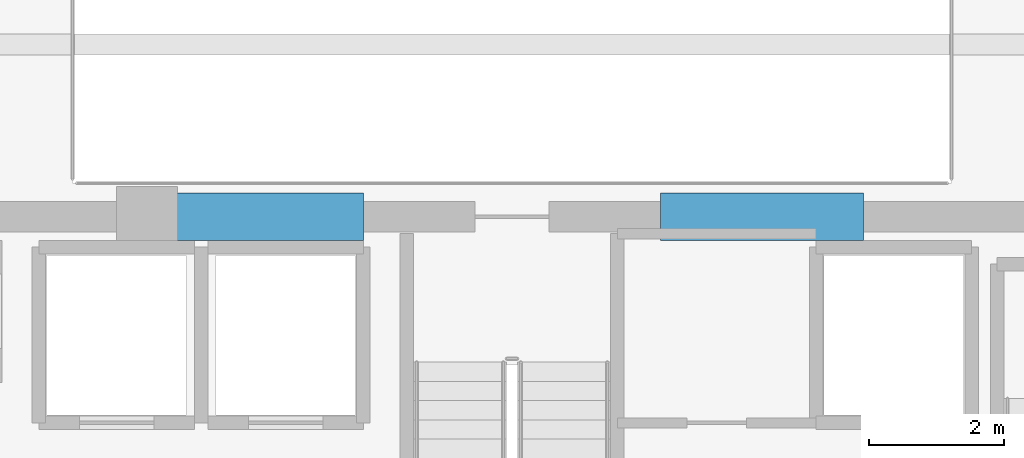
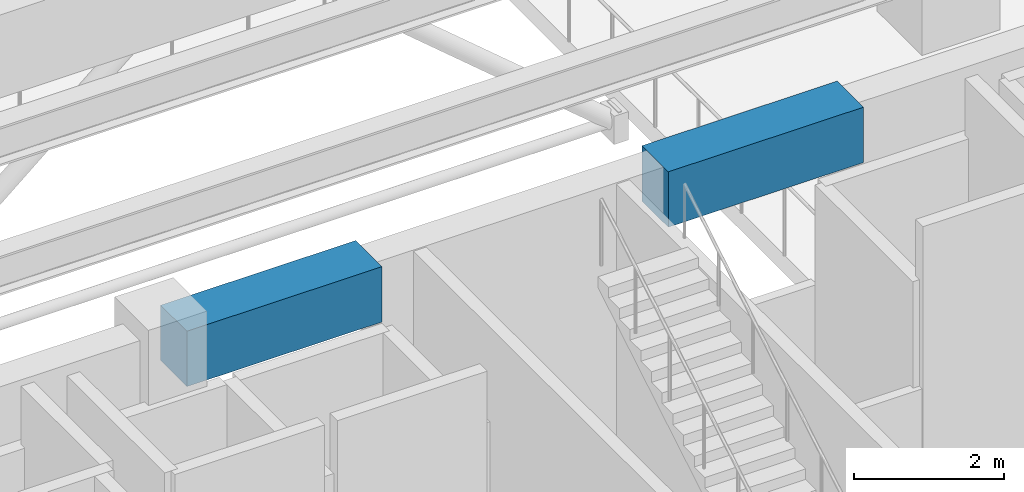
# One storey, part 8 of 25: 2 beams.
"""IFC4 building model written with IfcOpenShell, lengths in metres."""

from ifc_helpers import new_model, si_unit, direction, frame, origin, origin_2d, place, context, subcontext, project, spatial, rectangle, extrude, material, material_profile, profile_set, type_object, element, save


model = new_model("IFC4")

# Units and contexts
model_context = context("Model", 3, precision=1e-05, world=origin(), true_north=direction((0.0, 1.0)))
body_context = subcontext(model_context, "Body", "Model", "MODEL_VIEW")
ifc_project = project(units=[si_unit("LENGTHUNIT", "METRE"), si_unit("AREAUNIT", "SQUARE_METRE"), si_unit("VOLUMEUNIT", "CUBIC_METRE"), si_unit("PLANEANGLEUNIT", "RADIAN"), si_unit("MASSUNIT", "GRAM", prefix="KILO")], contexts=[model_context])

# Site, building, storey
site_placement = place(None, origin())
site = spatial("IfcSite", under=ifc_project, at=site_placement, CompositionType="ELEMENT")
building_placement = place(site_placement, origin())
building = spatial("IfcBuilding", under=site, at=building_placement, Name="Kovane Verandah Tower", CompositionType="ELEMENT")
storey_placement = place(building_placement, frame((0.0, 0.0, 295.199951171875)))
storey = spatial("IfcBuildingStorey", under=building, at=storey_placement, Name="L69", CompositionType="ELEMENT", Elevation=295.199951171875)

# Beams
ifc_material = material(Name="Concrete C60/75", Category="concrete")
ifc_material_profile = material_profile(ifc_material, rectangle(XDim=0.699951171875, YDim=0.89990234375, at=origin_2d()), Name="RCB700x900")
ifc_profile_set = profile_set([ifc_material_profile], Name="Concrete C60/75")
beam_type = type_object("IfcBeamType", Name="BM-LINTEL-700x900", PredefinedType="LINTEL", material=ifc_profile_set)
for number, where, z_axis, x_axis, name in (
    (1, (34.800048828125, 36.5, 5.050048828125), (1.0, 0.0, 0.0), (0.0, 1.0, 0.0), "L69 Core Coupling Lintel CL-N1"),
    (2, (42.199951171875, 36.5, 5.050048828125), (1.0, 0.0, 0.0), (0.0, 1.0, 0.0), "L69 Core Coupling Lintel CL-N2"),
):
    element("IfcBeam", number, at=place(storey_placement, frame(where, z_axis=z_axis, x_axis=x_axis)), inside=storey, type_object=beam_type, Name=name, PredefinedType="LINTEL", context=body_context, shape_type="SweptSolid", body=[
        extrude(rectangle(XDim=0.699951171875, YDim=0.89990234375, at=origin_2d()), origin(), (0.0, 0.0, 1.0), 3.0),
    ])

save(model, "model.ifc")
